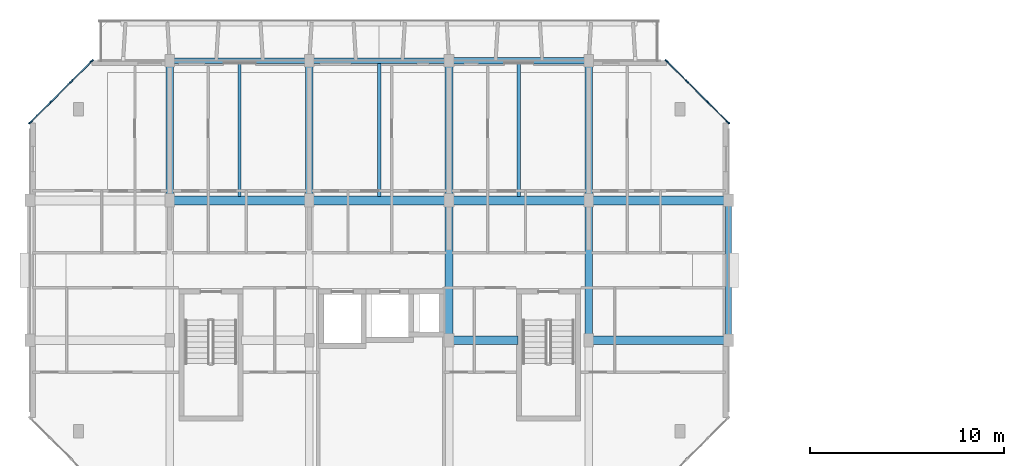
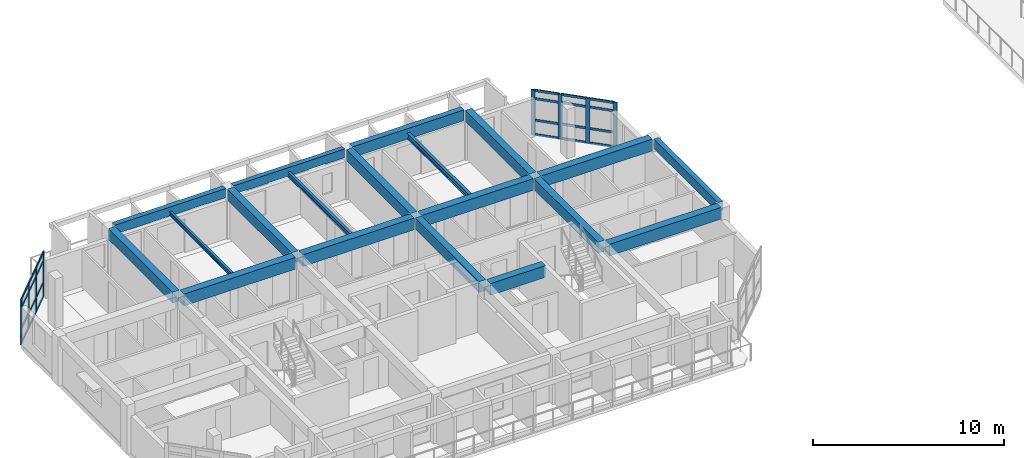
# One storey, part 12 of 64: 32 members, 19 beams, 2 elements without a shape of their own.
"""IFC4 building model written with IfcOpenShell, lengths in metres."""

from ifc_helpers import new_model, si_unit, direction, frame, origin, origin_2d, place, context, subcontext, project, spatial, rectangle, i_section, extrude, material, layer, layer_set, material_profile, profile_set, type_object, element, aggregate, save


model = new_model("IFC4")

# Units and contexts
model_context = context("Model", 3, precision=1e-05, world=origin(), true_north=direction((0.0, 1.0)))
body_context = subcontext(model_context, "Body", "Model", "MODEL_VIEW")
ifc_project = project(units=[si_unit("LENGTHUNIT", "METRE"), si_unit("AREAUNIT", "SQUARE_METRE"), si_unit("VOLUMEUNIT", "CUBIC_METRE"), si_unit("PLANEANGLEUNIT", "RADIAN"), si_unit("MASSUNIT", "GRAM", prefix="KILO")], contexts=[model_context])

# Site, building, storey
site_placement = place(None, origin())
site = spatial("IfcSite", under=ifc_project, at=site_placement, CompositionType="ELEMENT")
building_placement = place(site_placement, origin())
building = spatial("IfcBuilding", under=site, at=building_placement, Name="Ochrevale Crest", CompositionType="ELEMENT")
storey_placement = place(building_placement, frame((0.0, 0.0, 8.699951171875)))
storey = spatial("IfcBuildingStorey", under=building, at=storey_placement, Name="L02", CompositionType="ELEMENT", Elevation=8.699951171875)

# Beams
ifc_material_1 = material(Name="Precast concrete C50/60", Category="concrete")
ifc_material_profile_1 = material_profile(ifc_material_1, rectangle(XDim=0.39990234375, YDim=0.699951171875, at=origin_2d()), Name="PC 400x700")
ifc_profile_set_1 = profile_set([ifc_material_profile_1], Name="Precast concrete C50/60")
beam_type_1 = type_object("IfcBeamType", Name="BM-PC400x700", PredefinedType="BEAM", material=ifc_profile_set_1)
for number, where, z_axis, x_axis, name in (
    (1, (7.199951171875, 86.6298828125, 2.800048828125), (0.0, 1.0, 0.0), (-1.0, 0.0, 0.0), "Block B L02 N-S beam X=7.2"),
    (2, (14.39990234375, 86.6298828125, 2.800048828125), (0.0, 1.0, 0.0), (-1.0, 0.0, 0.0), "Block B L02 N-S beam X=14.4"),
):
    element("IfcBeam", number, at=place(storey_placement, frame(where, z_axis=z_axis, x_axis=x_axis)), inside=storey, type_object=beam_type_1, Name=name, PredefinedType="BEAM", context=body_context, shape_type="SweptSolid", body=[
        extrude(rectangle(XDim=0.39990234375, YDim=0.699951171875, at=origin_2d()), origin(), (0.0, 0.0, 1.0), 6.740234375),
    ])
beam_1_placement = place(storey_placement, frame((21.60009765625, 79.429931640625, 2.800048828125), z_axis=(0.0, 1.0, 0.0), x_axis=(-1.0, 0.0, 0.0)))
element("IfcBeam", 3, at=beam_1_placement, inside=storey, type_object=beam_type_1, Name="Block B L02 N-S beam X=21.6", PredefinedType="BEAM", context=body_context, shape_type="SweptSolid", body=[
    extrude(rectangle(XDim=0.39990234375, YDim=0.699951171875, at=origin_2d()), origin(), (0.0, 0.0, 1.0), 6.739990234375),
])
beam_2_placement = place(storey_placement, frame((21.60009765625, 86.6298828125, 2.800048828125), z_axis=(0.0, 1.0, 0.0), x_axis=(-1.0, 0.0, 0.0)))
element("IfcBeam", 4, at=beam_2_placement, inside=storey, type_object=beam_type_1, Name="Block B L02 N-S beam X=21.6", PredefinedType="BEAM", context=body_context, shape_type="SweptSolid", body=[
    extrude(rectangle(XDim=0.39990234375, YDim=0.699951171875, at=origin_2d()), origin(), (0.0, 0.0, 1.0), 6.740234375),
])
beam_3_placement = place(storey_placement, frame((28.800048828125, 79.429931640625, 2.800048828125), z_axis=(0.0, 1.0, 0.0), x_axis=(-1.0, 0.0, 0.0)))
element("IfcBeam", 5, at=beam_3_placement, inside=storey, type_object=beam_type_1, Name="Block B L02 N-S beam X=28.8", PredefinedType="BEAM", context=body_context, shape_type="SweptSolid", body=[
    extrude(rectangle(XDim=0.39990234375, YDim=0.699951171875, at=origin_2d()), origin(), (0.0, 0.0, 1.0), 6.739990234375),
])
beam_4_placement = place(storey_placement, frame((28.800048828125, 86.6298828125, 2.800048828125), z_axis=(0.0, 1.0, 0.0), x_axis=(-1.0, 0.0, 0.0)))
element("IfcBeam", 6, at=beam_4_placement, inside=storey, type_object=beam_type_1, Name="Block B L02 N-S beam X=28.8", PredefinedType="BEAM", context=body_context, shape_type="SweptSolid", body=[
    extrude(rectangle(XDim=0.39990234375, YDim=0.699951171875, at=origin_2d()), origin(), (0.0, 0.0, 1.0), 6.740234375),
])
ifc_material_2 = material(Name="Concrete C50/60", Category="concrete")
ifc_material_profile_2 = material_profile(ifc_material_2, rectangle(XDim=0.449951171875, YDim=0.75, at=origin_2d()), Name="RC 450x750")
ifc_profile_set_2 = profile_set([ifc_material_profile_2], Name="Concrete C50/60")
beam_type_2 = type_object("IfcBeamType", Name="BM-PG450x750", PredefinedType="USERDEFINED", material=ifc_profile_set_2)
beam_5_placement = place(storey_placement, frame((21.824951171875, 79.199951171875, 2.775146484375), z_axis=(1.0, 0.0, 0.0), x_axis=(0.0, 1.0, 0.0)))
element("IfcBeam", 7, at=beam_5_placement, inside=storey, type_object=beam_type_2, Name="Block B L02 E-W beam Y=79.2", ObjectType="GIRDER", PredefinedType="USERDEFINED", context=body_context, shape_type="SweptSolid", body=[
    extrude(rectangle(XDim=0.449951171875, YDim=0.75, at=origin_2d()), origin(), (0.0, 0.0, 1.0), 3.3349609375),
])
for number, where, z_axis, x_axis, name in (
    (8, (29.02490234375, 79.199951171875, 2.775146484375), (1.0, 0.0, 0.0), (0.0, 1.0, 0.0), "Block B L02 E-W beam Y=79.2"),
    (9, (7.425048828125, 86.39990234375, 2.775146484375), (1.0, 0.0, 0.0), (0.0, 1.0, 0.0), "Block B L02 E-W beam Y=86.4"),
    (10, (14.625, 86.39990234375, 2.775146484375), (1.0, 0.0, 0.0), (0.0, 1.0, 0.0), "Block B L02 E-W beam Y=86.4"),
    (11, (21.824951171875, 86.39990234375, 2.775146484375), (1.0, 0.0, 0.0), (0.0, 1.0, 0.0), "Block B L02 E-W beam Y=86.4"),
    (12, (29.02490234375, 86.39990234375, 2.775146484375), (1.0, 0.0, 0.0), (0.0, 1.0, 0.0), "Block B L02 E-W beam Y=86.4"),
):
    element("IfcBeam", number, at=place(storey_placement, frame(where, z_axis=z_axis, x_axis=x_axis)), inside=storey, type_object=beam_type_2, Name=name, ObjectType="GIRDER", PredefinedType="USERDEFINED", context=body_context, shape_type="SweptSolid", body=[
        extrude(rectangle(XDim=0.449951171875, YDim=0.75, at=origin_2d()), origin(), (0.0, 0.0, 1.0), 6.75),
    ])
ifc_material_3 = material(Name="Precast concrete C40/50", Category="concrete")
ifc_material_profile_3 = material_profile(ifc_material_3, rectangle(XDim=0.280029296875, YDim=0.550048828125, at=origin_2d()), Name="PC 280x550")
ifc_profile_set_3 = profile_set([ifc_material_profile_3], Name="Precast concrete C40/50")
beam_type_3 = type_object("IfcBeamType", Name="BM-SP280x550", PredefinedType="SPANDREL", material=ifc_profile_set_3)
beam_6_placement = place(storey_placement, frame((14.625, 93.60009765625, 2.875), z_axis=(1.0, 0.0, 0.0), x_axis=(0.0, 1.0, 0.0)))
element("IfcBeam", 13, at=beam_6_placement, inside=storey, type_object=beam_type_3, Name="Block B L02 E-W beam Y=93.6", PredefinedType="SPANDREL", context=body_context, shape_type="SweptSolid", body=[
    extrude(rectangle(XDim=0.280029296875, YDim=0.550048828125, at=origin_2d()), origin(), (0.0, 0.0, 1.0), 6.75),
])
ifc_material_profile_4 = material_profile(ifc_material_3, rectangle(XDim=0.300048828125, YDim=0.580078125, at=origin_2d()), Name="PC 300x580")
ifc_profile_set_4 = profile_set([ifc_material_profile_4], Name="Precast concrete C40/50")
beam_type_4 = type_object("IfcBeamType", Name="BM-SP300x580", PredefinedType="SPANDREL", material=ifc_profile_set_4)
beam_7_placement = place(storey_placement, frame((7.425048828125, 93.60009765625, 2.860107421875), z_axis=(1.0, 0.0, 0.0), x_axis=(0.0, 1.0, 0.0)))
element("IfcBeam", 14, at=beam_7_placement, inside=storey, type_object=beam_type_4, Name="Block B L02 E-W beam Y=93.6", PredefinedType="SPANDREL", context=body_context, shape_type="SweptSolid", body=[
    extrude(rectangle(XDim=0.300048828125, YDim=0.580078125, at=origin_2d()), origin(), (0.0, 0.0, 1.0), 6.75),
])
ifc_material_profile_5 = material_profile(ifc_material_3, rectangle(XDim=0.300048828125, YDim=0.60009765625, at=origin_2d()), Name="PC 300x600")
ifc_profile_set_5 = profile_set([ifc_material_profile_5], Name="Precast concrete C40/50")
beam_type_5 = type_object("IfcBeamType", Name="BM-SP300x600", PredefinedType="SPANDREL", material=ifc_profile_set_5)
beam_8_placement = place(storey_placement, frame((36.0, 79.429931640625, 2.85009765625), z_axis=(0.0, 1.0, 0.0), x_axis=(-1.0, 0.0, 0.0)))
element("IfcBeam", 15, at=beam_8_placement, inside=storey, type_object=beam_type_5, Name="Block B L02 N-S beam X=36.0", PredefinedType="SPANDREL", context=body_context, shape_type="SweptSolid", body=[
    extrude(rectangle(XDim=0.300048828125, YDim=0.60009765625, at=origin_2d()), origin(), (0.0, 0.0, 1.0), 6.739990234375),
])
ifc_material_profile_6 = material_profile(ifc_material_3, rectangle(XDim=0.35009765625, YDim=0.679931640625, at=origin_2d()), Name="PC 350x680")
ifc_profile_set_6 = profile_set([ifc_material_profile_6], Name="Precast concrete C40/50")
beam_type_6 = type_object("IfcBeamType", Name="BM-SP350x680", PredefinedType="SPANDREL", material=ifc_profile_set_6)
beam_9_placement = place(storey_placement, frame((21.824951171875, 93.60009765625, 2.81005859375), z_axis=(1.0, 0.0, 0.0), x_axis=(0.0, 1.0, 0.0)))
element("IfcBeam", 16, at=beam_9_placement, inside=storey, type_object=beam_type_6, Name="Block B L02 E-W beam Y=93.6", PredefinedType="SPANDREL", context=body_context, shape_type="SweptSolid", body=[
    extrude(rectangle(XDim=0.35009765625, YDim=0.679931640625, at=origin_2d()), origin(), (0.0, 0.0, 1.0), 6.75),
])
ifc_material_4 = material(Name="Steel S355", Category="steel")
ifc_material_profile_7 = material_profile(ifc_material_4, i_section(OverallWidth=0.146484375, OverallDepth=0.256103515625, WebThickness=0.00634765625, FlangeThickness=0.010986328125, FilletRadius=0.0087890625, at=origin_2d()), Name="250UB37.3")
ifc_profile_set_7 = profile_set([ifc_material_profile_7], Name="Steel S355")
beam_type_7 = type_object("IfcBeamType", Name="BM-UB250B", PredefinedType="JOIST", material=ifc_profile_set_7)
beam_10_placement = place(storey_placement, frame((10.800048828125, 86.613037109375, 2.7470703125), z_axis=(0.0, 1.0, 0.0), x_axis=(-1.0, 0.0, 0.0)))
element("IfcBeam", 17, at=beam_10_placement, inside=storey, type_object=beam_type_7, Name="Block B L02 composite plank trimmer beam 2", PredefinedType="JOIST", context=body_context, shape_type="SweptSolid", body=[
    extrude(i_section(OverallWidth=0.146484375, OverallDepth=0.256103515625, WebThickness=0.00634765625, FlangeThickness=0.010986328125, FilletRadius=0.0087890625, at=origin_2d()), origin(), (0.0, 0.0, 1.0), 6.848876953125),
])
ifc_material_profile_8 = material_profile(ifc_material_4, i_section(OverallWidth=0.1650390625, OverallDepth=0.3037109375, WebThickness=0.006103515625, FlangeThickness=0.01025390625, FilletRadius=0.011474609375, at=origin_2d()), Name="310UB40.4")
ifc_profile_set_8 = profile_set([ifc_material_profile_8], Name="Steel S355")
beam_type_8 = type_object("IfcBeamType", Name="BM-UB310A", PredefinedType="BEAM", material=ifc_profile_set_8)
beam_11_placement = place(storey_placement, frame((18.0, 86.613037109375, 2.72314453125), z_axis=(0.0, 1.0, 0.0), x_axis=(-1.0, 0.0, 0.0)))
element("IfcBeam", 18, at=beam_11_placement, inside=storey, type_object=beam_type_8, Name="Block B L02 composite plank trimmer beam 3", PredefinedType="BEAM", context=body_context, shape_type="SweptSolid", body=[
    extrude(i_section(OverallWidth=0.1650390625, OverallDepth=0.3037109375, WebThickness=0.006103515625, FlangeThickness=0.01025390625, FilletRadius=0.011474609375, at=origin_2d()), origin(), (0.0, 0.0, 1.0), 6.85888671875),
])
ifc_material_profile_9 = material_profile(ifc_material_4, i_section(OverallWidth=0.17138671875, OverallDepth=0.355712890625, WebThickness=0.00732421875, FlangeThickness=0.011474609375, FilletRadius=0.011474609375, at=origin_2d()), Name="360UB50.7")
ifc_profile_set_9 = profile_set([ifc_material_profile_9], Name="Steel S355")
beam_type_9 = type_object("IfcBeamType", Name="BM-UB360A", PredefinedType="BEAM", material=ifc_profile_set_9)
beam_12_placement = place(storey_placement, frame((25.199951171875, 86.613037109375, 2.697265625), z_axis=(0.0, 1.0, 0.0), x_axis=(-1.0, 0.0, 0.0)))
element("IfcBeam", 19, at=beam_12_placement, inside=storey, type_object=beam_type_9, Name="Block B L02 composite plank trimmer beam 4", PredefinedType="BEAM", context=body_context, shape_type="SweptSolid", body=[
    extrude(i_section(OverallWidth=0.17138671875, OverallDepth=0.355712890625, WebThickness=0.00732421875, FlangeThickness=0.011474609375, FilletRadius=0.011474609375, at=origin_2d()), origin(), (0.0, 0.0, 1.0), 6.823974609375),
])

# Curtain wall, members
ifc_material_5 = material(Name="Anodised aluminium 6063-T5", Category="aluminium")
ifc_layer_1 = layer(ifc_material_5, 0.14990234375)
ifc_layer_set_1 = layer_set([ifc_layer_1], Name="Anodised aluminium 6063-T5")
curtain_wall_type_1 = type_object("IfcCurtainWallType", Name="CW-WG-280x285", PredefinedType="NOTDEFINED", material=ifc_layer_set_1)
curtain_wall_1_placement = place(storey_placement, origin())
curtain_wall_1 = element("IfcCurtainWall", 20, at=curtain_wall_1_placement, inside=storey, type_object=curtain_wall_type_1, Name="Block B L02 chamfered corner wintergarden curtain wall 4", PredefinedType="NOTDEFINED")
ifc_material_profile_10 = material_profile(ifc_material_5, rectangle(XDim=0.074951171875, YDim=0.219970703125, at=origin_2d()), Name="ALU 75x220")
ifc_profile_set_10 = profile_set([ifc_material_profile_10], Name="Anodised aluminium 6063-T5")
member_type_1 = type_object("IfcMemberType", Name="CW-MUL-75x220", PredefinedType="MULLION", material=ifc_profile_set_10)
member_1_placement = place(storey_placement, frame((35.973388671875, 90.426513671875, 0.0), z_axis=(0.0, 0.0, 1.0), x_axis=(-0.707106781187, -0.707106781187, 0.0)))
member_1 = element("IfcMember", 21, at=member_1_placement, type_object=member_type_1, Name="CW16 mullion 1", PredefinedType="MULLION", context=body_context, shape_type="SweptSolid", body=[
    extrude(rectangle(XDim=0.074951171875, YDim=0.219970703125, at=origin_2d()), origin(), (0.0, 0.0, 1.0), 2.875),
])
member_2_placement = place(storey_placement, frame((34.933349609375, 91.466552734375, 0.0), z_axis=(0.0, 0.0, 1.0), x_axis=(-0.707106781187, -0.707106781187, 0.0)))
member_2 = element("IfcMember", 22, at=member_2_placement, type_object=member_type_1, Name="CW16 mullion 2", PredefinedType="MULLION", context=body_context, shape_type="SweptSolid", body=[
    extrude(rectangle(XDim=0.074951171875, YDim=0.219970703125, at=origin_2d()), origin(), (0.0, 0.0, 1.0), 2.875),
])
member_3_placement = place(storey_placement, frame((33.86669921875, 92.533447265625, 0.0), z_axis=(0.0, 0.0, 1.0), x_axis=(-0.707106781187, -0.707106781187, 0.0)))
member_3 = element("IfcMember", 23, at=member_3_placement, type_object=member_type_1, Name="CW16 mullion 3", PredefinedType="MULLION", context=body_context, shape_type="SweptSolid", body=[
    extrude(rectangle(XDim=0.074951171875, YDim=0.219970703125, at=origin_2d()), origin(), (0.0, 0.0, 1.0), 2.875),
])
member_4_placement = place(storey_placement, frame((32.826416015625, 93.573486328125, 0.0), z_axis=(0.0, 0.0, 1.0), x_axis=(-0.707106781187, -0.707106781187, 0.0)))
member_4 = element("IfcMember", 24, at=member_4_placement, type_object=member_type_1, Name="CW16 mullion 4", PredefinedType="MULLION", context=body_context, shape_type="SweptSolid", body=[
    extrude(rectangle(XDim=0.074951171875, YDim=0.219970703125, at=origin_2d()), origin(), (0.0, 0.0, 1.0), 2.875),
])

ifc_layer_2 = layer(ifc_material_5, 0.14990234375)
ifc_layer_set_2 = layer_set([ifc_layer_2], Name="Anodised aluminium 6063-T5")
curtain_wall_type_2 = type_object("IfcCurtainWallType", Name="CW-WG-360x285", PredefinedType="NOTDEFINED", material=ifc_layer_set_2)
curtain_wall_2_placement = place(storey_placement, origin())
curtain_wall_2 = element("IfcCurtainWall", 25, at=curtain_wall_2_placement, inside=storey, type_object=curtain_wall_type_2, Name="Block B L02 chamfered corner wintergarden curtain wall 6", PredefinedType="NOTDEFINED")
member_5_placement = place(storey_placement, frame((3.173583984375, 93.573486328125, 0.0), z_axis=(0.0, 0.0, 1.0), x_axis=(0.707106781187, -0.707106781187, 0.0)))
member_5 = element("IfcMember", 26, at=member_5_placement, type_object=member_type_1, Name="CW18 mullion 1", PredefinedType="MULLION", context=body_context, shape_type="SweptSolid", body=[
    extrude(rectangle(XDim=0.074951171875, YDim=0.219970703125, at=origin_2d()), origin(), (0.0, 0.0, 1.0), 2.875),
])
member_6_placement = place(storey_placement, frame((2.13330078125, 92.533447265625, 0.0), z_axis=(0.0, 0.0, 1.0), x_axis=(0.707106781187, -0.707106781187, 0.0)))
member_6 = element("IfcMember", 27, at=member_6_placement, type_object=member_type_1, Name="CW18 mullion 2", PredefinedType="MULLION", context=body_context, shape_type="SweptSolid", body=[
    extrude(rectangle(XDim=0.074951171875, YDim=0.219970703125, at=origin_2d()), origin(), (0.0, 0.0, 1.0), 2.875),
])
member_7_placement = place(storey_placement, frame((1.066650390625, 91.466552734375, 0.0), z_axis=(0.0, 0.0, 1.0), x_axis=(0.707106781187, -0.707106781187, 0.0)))
member_7 = element("IfcMember", 28, at=member_7_placement, type_object=member_type_1, Name="CW18 mullion 3", PredefinedType="MULLION", context=body_context, shape_type="SweptSolid", body=[
    extrude(rectangle(XDim=0.074951171875, YDim=0.219970703125, at=origin_2d()), origin(), (0.0, 0.0, 1.0), 2.875),
])
member_8_placement = place(storey_placement, frame((0.026611328125, 90.426513671875, 0.0), z_axis=(0.0, 0.0, 1.0), x_axis=(0.707106781187, -0.707106781187, 0.0)))
member_8 = element("IfcMember", 29, at=member_8_placement, type_object=member_type_1, Name="CW18 mullion 4", PredefinedType="MULLION", context=body_context, shape_type="SweptSolid", body=[
    extrude(rectangle(XDim=0.074951171875, YDim=0.219970703125, at=origin_2d()), origin(), (0.0, 0.0, 1.0), 2.875),
])

# Member
ifc_material_profile_11 = material_profile(ifc_material_5, rectangle(XDim=0.06005859375, YDim=0.14990234375, at=origin_2d()), Name="ALU 60x150")
ifc_profile_set_11 = profile_set([ifc_material_profile_11], Name="Anodised aluminium 6063-T5")
member_type_2 = type_object("IfcMemberType", Name="CW-TRN-60x150", PredefinedType="USERDEFINED", material=ifc_profile_set_11)
member_9_placement = place(storey_placement, frame((35.947021484375, 90.453125, 0.030029296875), z_axis=(-0.707106781187, 0.707106781187, 0.0), x_axis=(-0.707106781187, -0.707106781187, 0.0)))
member_9 = element("IfcMember", 30, at=member_9_placement, type_object=member_type_2, Name="CW16 transom 1.1", ObjectType="TRANSOM", PredefinedType="USERDEFINED", context=body_context, shape_type="SweptSolid", body=[
    extrude(rectangle(XDim=0.06005859375, YDim=0.14990234375, at=origin_2d()), origin(), (0.0, 0.0, 1.0), 1.39599609375),
])

member_10_placement = place(storey_placement, frame((35.947021484375, 90.453125, 0.949951171875), z_axis=(-0.707106781187, 0.707106781187, 0.0), x_axis=(-0.707106781187, -0.707106781187, 0.0)))
member_10 = element("IfcMember", 31, at=member_10_placement, type_object=member_type_2, Name="CW16 transom 1.2", ObjectType="TRANSOM", PredefinedType="USERDEFINED", context=body_context, shape_type="SweptSolid", body=[
    extrude(rectangle(XDim=0.06005859375, YDim=0.14990234375, at=origin_2d()), origin(), (0.0, 0.0, 1.0), 1.39599609375),
])

member_11_placement = place(storey_placement, frame((35.947021484375, 90.453125, 2.324951171875), z_axis=(-0.707106781187, 0.707106781187, 0.0), x_axis=(-0.707106781187, -0.707106781187, 0.0)))
member_11 = element("IfcMember", 32, at=member_11_placement, type_object=member_type_2, Name="CW16 transom 1.3", ObjectType="TRANSOM", PredefinedType="USERDEFINED", context=body_context, shape_type="SweptSolid", body=[
    extrude(rectangle(XDim=0.06005859375, YDim=0.14990234375, at=origin_2d()), origin(), (0.0, 0.0, 1.0), 1.39599609375),
])

member_12_placement = place(storey_placement, frame((35.947021484375, 90.453125, 2.844970703125), z_axis=(-0.707106781187, 0.707106781187, 0.0), x_axis=(-0.707106781187, -0.707106781187, 0.0)))
member_12 = element("IfcMember", 33, at=member_12_placement, type_object=member_type_2, Name="CW16 transom 1.4", ObjectType="TRANSOM", PredefinedType="USERDEFINED", context=body_context, shape_type="SweptSolid", body=[
    extrude(rectangle(XDim=0.06005859375, YDim=0.14990234375, at=origin_2d()), origin(), (0.0, 0.0, 1.0), 1.39599609375),
])

member_13_placement = place(storey_placement, frame((34.90673828125, 91.4931640625, 0.030029296875), z_axis=(-0.707106781187, 0.707106781187, 0.0), x_axis=(-0.707106781187, -0.707106781187, 0.0)))
member_13 = element("IfcMember", 34, at=member_13_placement, type_object=member_type_2, Name="CW16 transom 2.1", ObjectType="TRANSOM", PredefinedType="USERDEFINED", context=body_context, shape_type="SweptSolid", body=[
    extrude(rectangle(XDim=0.06005859375, YDim=0.14990234375, at=origin_2d()), origin(), (0.0, 0.0, 1.0), 1.43359375),
])

member_14_placement = place(storey_placement, frame((34.90673828125, 91.4931640625, 0.949951171875), z_axis=(-0.707106781187, 0.707106781187, 0.0), x_axis=(-0.707106781187, -0.707106781187, 0.0)))
member_14 = element("IfcMember", 35, at=member_14_placement, type_object=member_type_2, Name="CW16 transom 2.2", ObjectType="TRANSOM", PredefinedType="USERDEFINED", context=body_context, shape_type="SweptSolid", body=[
    extrude(rectangle(XDim=0.06005859375, YDim=0.14990234375, at=origin_2d()), origin(), (0.0, 0.0, 1.0), 1.43359375),
])

member_15_placement = place(storey_placement, frame((34.90673828125, 91.4931640625, 2.324951171875), z_axis=(-0.707106781187, 0.707106781187, 0.0), x_axis=(-0.707106781187, -0.707106781187, 0.0)))
member_15 = element("IfcMember", 36, at=member_15_placement, type_object=member_type_2, Name="CW16 transom 2.3", ObjectType="TRANSOM", PredefinedType="USERDEFINED", context=body_context, shape_type="SweptSolid", body=[
    extrude(rectangle(XDim=0.06005859375, YDim=0.14990234375, at=origin_2d()), origin(), (0.0, 0.0, 1.0), 1.43359375),
])

member_16_placement = place(storey_placement, frame((34.90673828125, 91.4931640625, 2.844970703125), z_axis=(-0.707106781187, 0.707106781187, 0.0), x_axis=(-0.707106781187, -0.707106781187, 0.0)))
member_16 = element("IfcMember", 37, at=member_16_placement, type_object=member_type_2, Name="CW16 transom 2.4", ObjectType="TRANSOM", PredefinedType="USERDEFINED", context=body_context, shape_type="SweptSolid", body=[
    extrude(rectangle(XDim=0.06005859375, YDim=0.14990234375, at=origin_2d()), origin(), (0.0, 0.0, 1.0), 1.43359375),
])

member_17_placement = place(storey_placement, frame((33.840087890625, 92.559814453125, 0.030029296875), z_axis=(-0.707106781187, 0.707106781187, 0.0), x_axis=(-0.707106781187, -0.707106781187, 0.0)))
member_17 = element("IfcMember", 38, at=member_17_placement, type_object=member_type_2, Name="CW16 transom 3.1", ObjectType="TRANSOM", PredefinedType="USERDEFINED", context=body_context, shape_type="SweptSolid", body=[
    extrude(rectangle(XDim=0.06005859375, YDim=0.14990234375, at=origin_2d()), origin(), (0.0, 0.0, 1.0), 1.39599609375),
])

member_18_placement = place(storey_placement, frame((33.840087890625, 92.559814453125, 0.949951171875), z_axis=(-0.707106781187, 0.707106781187, 0.0), x_axis=(-0.707106781187, -0.707106781187, 0.0)))
member_18 = element("IfcMember", 39, at=member_18_placement, type_object=member_type_2, Name="CW16 transom 3.2", ObjectType="TRANSOM", PredefinedType="USERDEFINED", context=body_context, shape_type="SweptSolid", body=[
    extrude(rectangle(XDim=0.06005859375, YDim=0.14990234375, at=origin_2d()), origin(), (0.0, 0.0, 1.0), 1.39599609375),
])

member_19_placement = place(storey_placement, frame((33.840087890625, 92.559814453125, 2.324951171875), z_axis=(-0.707106781187, 0.707106781187, 0.0), x_axis=(-0.707106781187, -0.707106781187, 0.0)))
member_19 = element("IfcMember", 40, at=member_19_placement, type_object=member_type_2, Name="CW16 transom 3.3", ObjectType="TRANSOM", PredefinedType="USERDEFINED", context=body_context, shape_type="SweptSolid", body=[
    extrude(rectangle(XDim=0.06005859375, YDim=0.14990234375, at=origin_2d()), origin(), (0.0, 0.0, 1.0), 1.39599609375),
])

member_20_placement = place(storey_placement, frame((33.840087890625, 92.559814453125, 2.844970703125), z_axis=(-0.707106781187, 0.707106781187, 0.0), x_axis=(-0.707106781187, -0.707106781187, 0.0)))
member_20 = element("IfcMember", 41, at=member_20_placement, type_object=member_type_2, Name="CW16 transom 3.4", ObjectType="TRANSOM", PredefinedType="USERDEFINED", context=body_context, shape_type="SweptSolid", body=[
    extrude(rectangle(XDim=0.06005859375, YDim=0.14990234375, at=origin_2d()), origin(), (0.0, 0.0, 1.0), 1.39599609375),
])

aggregate(curtain_wall_1, [member_1, member_2, member_3, member_4, member_9, member_10, member_11, member_12, member_13, member_14, member_15, member_16, member_17, member_18, member_19, member_20])

member_21_placement = place(storey_placement, frame((3.14697265625, 93.546875, 0.030029296875), z_axis=(-0.707106781187, -0.707106781187, 0.0), x_axis=(0.707106781187, -0.707106781187, 0.0)))
member_21 = element("IfcMember", 42, at=member_21_placement, type_object=member_type_2, Name="CW18 transom 1.1", ObjectType="TRANSOM", PredefinedType="USERDEFINED", context=body_context, shape_type="SweptSolid", body=[
    extrude(rectangle(XDim=0.06005859375, YDim=0.14990234375, at=origin_2d()), origin(), (0.0, 0.0, 1.0), 1.39599609375),
])

member_22_placement = place(storey_placement, frame((3.14697265625, 93.546875, 0.949951171875), z_axis=(-0.707106781187, -0.707106781187, 0.0), x_axis=(0.707106781187, -0.707106781187, 0.0)))
member_22 = element("IfcMember", 43, at=member_22_placement, type_object=member_type_2, Name="CW18 transom 1.2", ObjectType="TRANSOM", PredefinedType="USERDEFINED", context=body_context, shape_type="SweptSolid", body=[
    extrude(rectangle(XDim=0.06005859375, YDim=0.14990234375, at=origin_2d()), origin(), (0.0, 0.0, 1.0), 1.39599609375),
])

member_23_placement = place(storey_placement, frame((3.14697265625, 93.546875, 2.324951171875), z_axis=(-0.707106781187, -0.707106781187, 0.0), x_axis=(0.707106781187, -0.707106781187, 0.0)))
member_23 = element("IfcMember", 44, at=member_23_placement, type_object=member_type_2, Name="CW18 transom 1.3", ObjectType="TRANSOM", PredefinedType="USERDEFINED", context=body_context, shape_type="SweptSolid", body=[
    extrude(rectangle(XDim=0.06005859375, YDim=0.14990234375, at=origin_2d()), origin(), (0.0, 0.0, 1.0), 1.39599609375),
])

member_24_placement = place(storey_placement, frame((3.14697265625, 93.546875, 2.844970703125), z_axis=(-0.707106781187, -0.707106781187, 0.0), x_axis=(0.707106781187, -0.707106781187, 0.0)))
member_24 = element("IfcMember", 45, at=member_24_placement, type_object=member_type_2, Name="CW18 transom 1.4", ObjectType="TRANSOM", PredefinedType="USERDEFINED", context=body_context, shape_type="SweptSolid", body=[
    extrude(rectangle(XDim=0.06005859375, YDim=0.14990234375, at=origin_2d()), origin(), (0.0, 0.0, 1.0), 1.39599609375),
])

member_25_placement = place(storey_placement, frame((2.10693359375, 92.5068359375, 0.030029296875), z_axis=(-0.707106781187, -0.707106781187, 0.0), x_axis=(0.707106781187, -0.707106781187, 0.0)))
member_25 = element("IfcMember", 46, at=member_25_placement, type_object=member_type_2, Name="CW18 transom 2.1", ObjectType="TRANSOM", PredefinedType="USERDEFINED", context=body_context, shape_type="SweptSolid", body=[
    extrude(rectangle(XDim=0.06005859375, YDim=0.14990234375, at=origin_2d()), origin(), (0.0, 0.0, 1.0), 1.43359375),
])

member_26_placement = place(storey_placement, frame((2.10693359375, 92.5068359375, 0.949951171875), z_axis=(-0.707106781187, -0.707106781187, 0.0), x_axis=(0.707106781187, -0.707106781187, 0.0)))
member_26 = element("IfcMember", 47, at=member_26_placement, type_object=member_type_2, Name="CW18 transom 2.2", ObjectType="TRANSOM", PredefinedType="USERDEFINED", context=body_context, shape_type="SweptSolid", body=[
    extrude(rectangle(XDim=0.06005859375, YDim=0.14990234375, at=origin_2d()), origin(), (0.0, 0.0, 1.0), 1.43359375),
])

member_27_placement = place(storey_placement, frame((2.10693359375, 92.5068359375, 2.324951171875), z_axis=(-0.707106781187, -0.707106781187, 0.0), x_axis=(0.707106781187, -0.707106781187, 0.0)))
member_27 = element("IfcMember", 48, at=member_27_placement, type_object=member_type_2, Name="CW18 transom 2.3", ObjectType="TRANSOM", PredefinedType="USERDEFINED", context=body_context, shape_type="SweptSolid", body=[
    extrude(rectangle(XDim=0.06005859375, YDim=0.14990234375, at=origin_2d()), origin(), (0.0, 0.0, 1.0), 1.43359375),
])

member_28_placement = place(storey_placement, frame((2.10693359375, 92.5068359375, 2.844970703125), z_axis=(-0.707106781187, -0.707106781187, 0.0), x_axis=(0.707106781187, -0.707106781187, 0.0)))
member_28 = element("IfcMember", 49, at=member_28_placement, type_object=member_type_2, Name="CW18 transom 2.4", ObjectType="TRANSOM", PredefinedType="USERDEFINED", context=body_context, shape_type="SweptSolid", body=[
    extrude(rectangle(XDim=0.06005859375, YDim=0.14990234375, at=origin_2d()), origin(), (0.0, 0.0, 1.0), 1.43359375),
])

member_29_placement = place(storey_placement, frame((1.0400390625, 91.440185546875, 0.030029296875), z_axis=(-0.707106781187, -0.707106781187, 0.0), x_axis=(0.707106781187, -0.707106781187, 0.0)))
member_29 = element("IfcMember", 50, at=member_29_placement, type_object=member_type_2, Name="CW18 transom 3.1", ObjectType="TRANSOM", PredefinedType="USERDEFINED", context=body_context, shape_type="SweptSolid", body=[
    extrude(rectangle(XDim=0.06005859375, YDim=0.14990234375, at=origin_2d()), origin(), (0.0, 0.0, 1.0), 1.39599609375),
])

member_30_placement = place(storey_placement, frame((1.0400390625, 91.440185546875, 0.949951171875), z_axis=(-0.707106781187, -0.707106781187, 0.0), x_axis=(0.707106781187, -0.707106781187, 0.0)))
member_30 = element("IfcMember", 51, at=member_30_placement, type_object=member_type_2, Name="CW18 transom 3.2", ObjectType="TRANSOM", PredefinedType="USERDEFINED", context=body_context, shape_type="SweptSolid", body=[
    extrude(rectangle(XDim=0.06005859375, YDim=0.14990234375, at=origin_2d()), origin(), (0.0, 0.0, 1.0), 1.39599609375),
])

member_31_placement = place(storey_placement, frame((1.0400390625, 91.440185546875, 2.324951171875), z_axis=(-0.707106781187, -0.707106781187, 0.0), x_axis=(0.707106781187, -0.707106781187, 0.0)))
member_31 = element("IfcMember", 52, at=member_31_placement, type_object=member_type_2, Name="CW18 transom 3.3", ObjectType="TRANSOM", PredefinedType="USERDEFINED", context=body_context, shape_type="SweptSolid", body=[
    extrude(rectangle(XDim=0.06005859375, YDim=0.14990234375, at=origin_2d()), origin(), (0.0, 0.0, 1.0), 1.39599609375),
])

member_32_placement = place(storey_placement, frame((1.0400390625, 91.440185546875, 2.844970703125), z_axis=(-0.707106781187, -0.707106781187, 0.0), x_axis=(0.707106781187, -0.707106781187, 0.0)))
member_32 = element("IfcMember", 53, at=member_32_placement, type_object=member_type_2, Name="CW18 transom 3.4", ObjectType="TRANSOM", PredefinedType="USERDEFINED", context=body_context, shape_type="SweptSolid", body=[
    extrude(rectangle(XDim=0.06005859375, YDim=0.14990234375, at=origin_2d()), origin(), (0.0, 0.0, 1.0), 1.39599609375),
])

aggregate(curtain_wall_2, [member_5, member_6, member_7, member_8, member_21, member_22, member_23, member_24, member_25, member_26, member_27, member_28, member_29, member_30, member_31, member_32])

save(model, "model.ifc")
